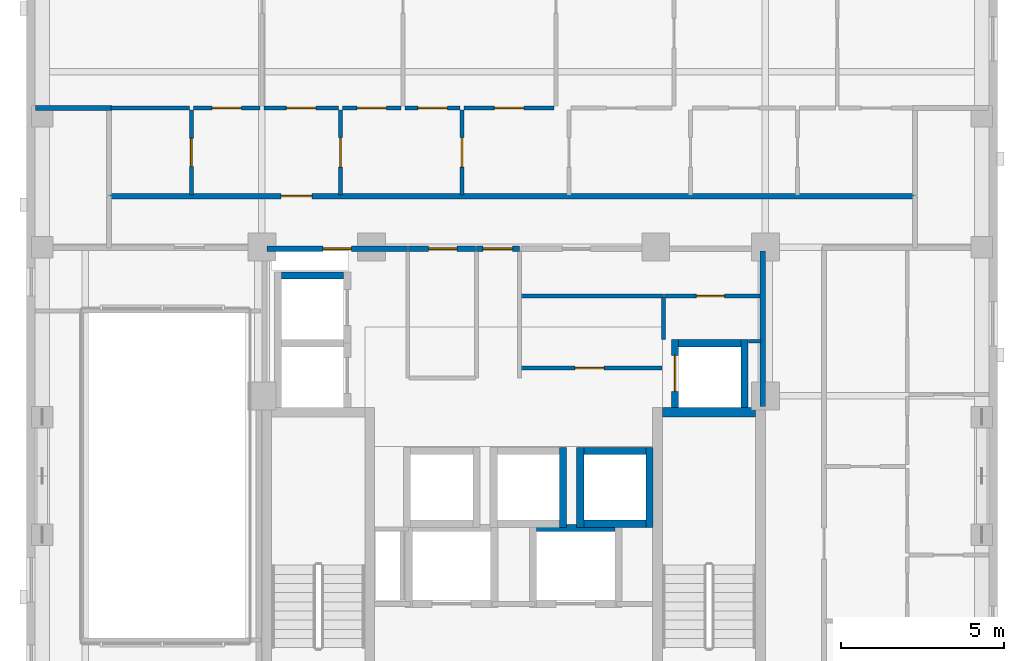
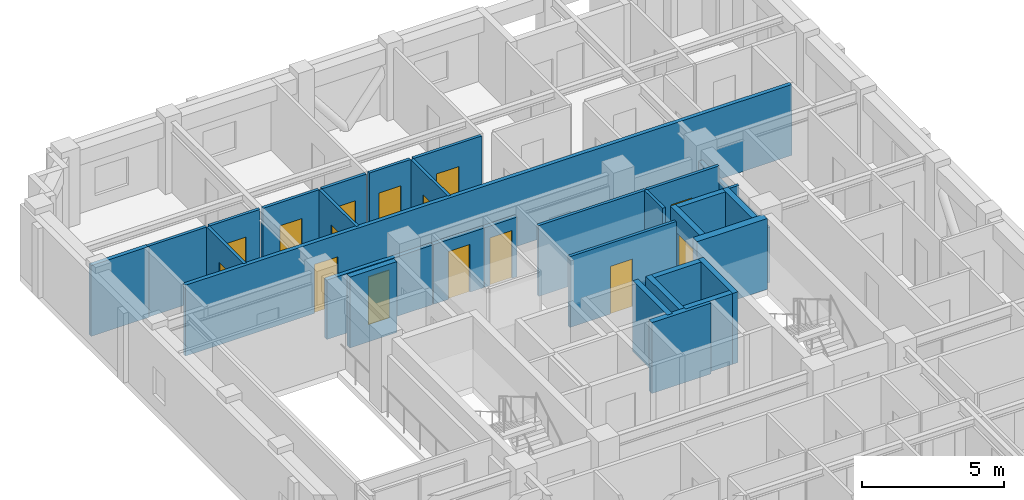
# One storey, part 7 of 13: 31 walls, 15 doors, 15 openings.
"""IFC4 building model written with IfcOpenShell, lengths in metres."""

from ifc_helpers import new_model, si_unit, derived_unit, direction, frame, frame_2d, origin, place, context, subcontext, project, spatial, rectangle, extrude, material, layer, layer_set, type_object, element, fill, save


model = new_model("IFC4")

# Units and contexts
model_context = context("Model", 3, precision=1e-05, world=origin(), true_north=direction((0.0, 1.0)))
body_context = subcontext(model_context, "Body", "Model", "MODEL_VIEW")
ifc_project = project(units=[si_unit("LENGTHUNIT", "METRE"), si_unit("AREAUNIT", "SQUARE_METRE"), si_unit("VOLUMEUNIT", "CUBIC_METRE"), si_unit("PLANEANGLEUNIT", "RADIAN"), si_unit("MASSUNIT", "GRAM", prefix="KILO"), derived_unit("THERMALTRANSMITTANCEUNIT", [(si_unit("MASSUNIT", "GRAM", prefix="KILO"), 1), (si_unit("TIMEUNIT", "SECOND"), -3), (si_unit("THERMODYNAMICTEMPERATUREUNIT", "KELVIN"), -1)])], contexts=[model_context])

# Site, building, storey
site_placement = place(None, origin())
site = spatial("IfcSite", under=ifc_project, at=site_placement, CompositionType="ELEMENT")
building_placement = place(site_placement, origin())
building = spatial("IfcBuilding", under=site, at=building_placement, Name="Korrvale Station Residences", CompositionType="ELEMENT")
storey_placement = place(building_placement, frame((0.0, 0.0, 177.699951171875)))
storey = spatial("IfcBuildingStorey", under=building, at=storey_placement, Name="L51", CompositionType="ELEMENT", Elevation=177.699951171875)

# Walls
ifc_material_1 = material(Name="Concrete C50/60", Category="concrete")
ifc_layer_1 = layer(ifc_material_1, 0.300048828125, Name="Concrete C50/60")
ifc_layer_set_1 = layer_set([ifc_layer_1], Name="Concrete C50/60")
wall_type_1 = type_object("IfcWallType", Name="WAL-CORE-300-C50", PredefinedType="SHEAR", material=ifc_layer_set_1)
wall_1_placement = place(storey_placement, frame((30.050048828125, 23.949951171875, 0.0), z_axis=(0.0, 0.0, 1.0), x_axis=(1.0, 0.0, 0.0)))
element("IfcWall", 1, at=wall_1_placement, inside=storey, type_object=wall_type_1, Name="L51 ST-2 Core Shear Wall North", PredefinedType="SHEAR", context=body_context, shape_type="SweptSolid", body=[
    extrude(rectangle(XDim=2.849853515625, YDim=0.300048828125, at=frame_2d((1.4248046875, 0.0))), origin(), (0.0, 0.0, 1.0), 3.0400390625),
])
ifc_material_2 = material(Name="Acoustic steel-stud gypsum board partition", Category="steel")
ifc_layer_2 = layer(ifc_material_2, 0.1201171875, Name="Acoustic steel-stud gypsum board partition")
ifc_layer_set_2 = layer_set([ifc_layer_2], Name="Acoustic steel-stud gypsum board partition")
wall_type_2 = type_object("IfcWallType", Name="WAL-PART-125", PredefinedType="PARTITIONING", material=ifc_layer_set_2)
wall_2_placement = place(storey_placement, frame((30.080078125, 26.179931640625, 0.0), z_axis=(0.0, 0.0, 1.0), x_axis=(0.0, 1.0, 0.0)))
element("IfcWall", 2, at=wall_2_placement, inside=storey, type_object=wall_type_2, Name="L51 Core Partition CW-CS-W", PredefinedType="PARTITIONING", context=body_context, shape_type="SweptSolid", body=[
    extrude(rectangle(XDim=1.280029296875, YDim=0.1201171875, at=frame_2d((0.64013671875, 0.0))), origin(), (0.0, 0.0, 1.0), 3.0400390625),
])
wall_3_placement = place(storey_placement, frame((32.679931640625, 26.1201171875, 0.0), z_axis=(0.0, 0.0, 1.0), x_axis=(1.0, 0.0, 0.0)))
element("IfcWall", 3, at=wall_3_placement, inside=storey, type_object=wall_type_2, Name="L51 Core Partition CW-CS-S", PredefinedType="PARTITIONING", context=body_context, shape_type="SweptSolid", body=[
    extrude(rectangle(XDim=0.380126953125, YDim=0.1201171875, at=frame_2d((0.18994140625, 0.0))), origin(), (0.0, 0.0, 1.0), 3.0400390625),
])

# Wall, opening, door
wall_4_placement = place(storey_placement, frame((30.1201171875, 27.5, 0.0), z_axis=(0.0, 0.0, 1.0), x_axis=(1.0, 0.0, 0.0)))
wall_4 = element("IfcWall", 4, at=wall_4_placement, inside=storey, type_object=wall_type_2, Name="L51 Core Partition CW-CS-H", PredefinedType="PARTITIONING", context=body_context, shape_type="SweptSolid", body=[
    extrude(rectangle(XDim=2.919921875, YDim=0.1201171875, at=frame_2d((1.4599609375, 0.0))), origin(), (0.0, 0.0, 1.0), 3.0400390625),
])
opening_1_placement = place(wall_4_placement, frame((0.969970703125, 0.0, 0.0)))
opening_1 = element("IfcOpeningElement", 5, at=opening_1_placement, cuts=wall_4, Name="Opening DB-860", PredefinedType="OPENING", context=body_context, shape_type="SweptSolid", body=[
    extrude(rectangle(XDim=0.860107421875, YDim=2.050048828125, at=frame_2d((0.43017578125, 1.02490234375))), frame((0.0, 0.070068359375, 0.0), z_axis=(0.0, -1.0, 0.0), x_axis=(1.0, 0.0, 0.0)), (0.0, 0.0, 1.0), 0.14013671875),
])
ifc_material_3 = material(Name="Moisture-resistant solid-core bathroom door", Category="timber")
door_type_1 = type_object("IfcDoorType", Name="DR-BATH-860", OperationType="NOTDEFINED", PredefinedType="DOOR", material=ifc_material_3)
door_1_placement = place(opening_1_placement, origin())
door_1 = element("IfcDoor", 6, at=door_1_placement, inside=storey, type_object=door_type_1, Name="L51 Mail Sorting Inner Door", OperationType="SINGLE_SWING_LEFT", OverallHeight=2.050048828125, OverallWidth=0.860107421875, PredefinedType="DOOR", context=body_context, shape_type="SweptSolid", body=[
    extrude(rectangle(XDim=0.860107421875, YDim=2.050048828125, at=frame_2d((0.43017578125, 1.02490234375))), frame((0.0, 0.02490234375, 0.0), z_axis=(0.0, -1.0, 0.0), x_axis=(1.0, 0.0, 0.0)), (0.0, 0.0, 1.0), 0.050048828125),
])
fill(opening_1, door_1)

# Wall
wall_5_placement = place(storey_placement, frame((25.719970703125, 27.5, 0.0), z_axis=(0.0, 0.0, 1.0), x_axis=(1.0, 0.0, 0.0)))
element("IfcWall", 7, at=wall_5_placement, inside=storey, type_object=wall_type_2, Name="L51 Core Partition CW-FPLE-H", PredefinedType="PARTITIONING", context=body_context, shape_type="SweptSolid", body=[
    extrude(rectangle(XDim=4.360107421875, YDim=0.1201171875, at=frame_2d((2.18017578125, 0.0))), origin(), (0.0, 0.0, 1.0), 3.0400390625),
])

# Wall, opening, door
wall_6_placement = place(storey_placement, frame((25.719970703125, 25.300048828125, 0.0), z_axis=(0.0, 0.0, 1.0), x_axis=(1.0, 0.0, 0.0)))
wall_6 = element("IfcWall", 8, at=wall_6_placement, inside=storey, type_object=wall_type_2, Name="L51 Core Partition CW-FPLE-S", PredefinedType="PARTITIONING", context=body_context, shape_type="SweptSolid", body=[
    extrude(rectangle(XDim=4.320068359375, YDim=0.1201171875, at=frame_2d((2.16015625, 0.0))), origin(), (0.0, 0.0, 1.0), 3.0400390625),
])
opening_2_placement = place(wall_6_placement, frame((1.64990234375, 0.0, 0.0)))
opening_2 = element("IfcOpeningElement", 9, at=opening_2_placement, cuts=wall_6, Name="Opening DI-900", PredefinedType="OPENING", context=body_context, shape_type="SweptSolid", body=[
    extrude(rectangle(XDim=0.89990234375, YDim=2.050048828125, at=frame_2d((0.449951171875, 1.02490234375))), frame((0.0, 0.070068359375, 0.0), z_axis=(0.0, -1.0, 0.0), x_axis=(1.0, 0.0, 0.0)), (0.0, 0.0, 1.0), 0.14013671875),
])
ifc_material_4 = material(Name="Painted solid-core timber interior room door", Category="wood")
door_type_2 = type_object("IfcDoorType", Name="DR-INT-900", OperationType="NOTDEFINED", PredefinedType="DOOR", material=ifc_material_4)
door_2_placement = place(opening_2_placement, origin())
door_2 = element("IfcDoor", 10, at=door_2_placement, inside=storey, type_object=door_type_2, Name="L51 Housekeeping Linen Door", OperationType="SINGLE_SWING_LEFT", OverallHeight=2.050048828125, OverallWidth=0.89990234375, PredefinedType="DOOR", context=body_context, shape_type="SweptSolid", body=[
    extrude(rectangle(XDim=0.89990234375, YDim=2.050048828125, at=frame_2d((0.449951171875, 1.02490234375))), frame((0.0, 0.02490234375, 0.0), z_axis=(0.0, -1.0, 0.0), x_axis=(1.0, 0.0, 0.0)), (0.0, 0.0, 1.0), 0.050048828125),
])
fill(opening_2, door_2)

wall_7_placement = place(storey_placement, frame((15.639892578125, 30.60009765625, 0.0), z_axis=(0.0, 0.0, 1.0), x_axis=(0.0, 1.0, 0.0)))
wall_7 = element("IfcWall", 11, at=wall_7_placement, inside=storey, type_object=wall_type_2, Name="L51 Suite Partition U02-V01", PredefinedType="PARTITIONING", context=body_context, shape_type="SweptSolid", body=[
    extrude(rectangle(XDim=2.599853515625, YDim=0.1201171875, at=frame_2d((1.2998046875, 0.0))), origin(), (0.0, 0.0, 1.0), 3.0400390625),
])
opening_3_placement = place(wall_7_placement, frame((0.8701171875, 0.0, 0.0)))
opening_3 = element("IfcOpeningElement", 12, at=opening_3_placement, cuts=wall_7, Name="Opening DB-860", PredefinedType="OPENING", context=body_context, shape_type="SweptSolid", body=[
    extrude(rectangle(XDim=0.860107421875, YDim=2.050048828125, at=frame_2d((0.43017578125, 1.02490234375))), frame((0.0, 0.070068359375, 0.0), z_axis=(0.0, -1.0, 0.0), x_axis=(1.0, 0.0, 0.0)), (0.0, 0.0, 1.0), 0.14013671875),
])
door_3_placement = place(opening_3_placement, origin())
door_3 = element("IfcDoor", 13, at=door_3_placement, inside=storey, type_object=door_type_1, Name="L51 Apartment 3BR L51-U02 Bathroom Door", OperationType="SINGLE_SWING_LEFT", OverallHeight=2.050048828125, OverallWidth=0.860107421875, PredefinedType="DOOR", context=body_context, shape_type="SweptSolid", body=[
    extrude(rectangle(XDim=0.860107421875, YDim=2.050048828125, at=frame_2d((0.43017578125, 1.02490234375))), frame((0.0, 0.02490234375, 0.0), z_axis=(0.0, -1.0, 0.0), x_axis=(1.0, 0.0, 0.0)), (0.0, 0.0, 1.0), 0.050048828125),
])
fill(opening_3, door_3)

# Wall
wall_8_placement = place(storey_placement, frame((13.179931640625, 33.260009765625, 0.0), z_axis=(0.0, 0.0, 1.0), x_axis=(1.0, 0.0, 0.0)))
element("IfcWall", 14, at=wall_8_placement, inside=storey, type_object=wall_type_2, Name="L51 Suite Partition U02-H07", PredefinedType="PARTITIONING", context=body_context, shape_type="SweptSolid", body=[
    extrude(rectangle(XDim=2.400146484375, YDim=0.1201171875, at=frame_2d((1.2001953125, 0.0))), origin(), (0.0, 0.0, 1.0), 3.0400390625),
])

# Wall, opening, door
wall_9_placement = place(storey_placement, frame((20.199951171875, 30.60009765625, 0.0), z_axis=(0.0, 0.0, 1.0), x_axis=(0.0, 1.0, 0.0)))
wall_9 = element("IfcWall", 15, at=wall_9_placement, inside=storey, type_object=wall_type_2, Name="L51 Suite Partition U02-V12", PredefinedType="PARTITIONING", context=body_context, shape_type="SweptSolid", body=[
    extrude(rectangle(XDim=2.599853515625, YDim=0.1201171875, at=frame_2d((1.2998046875, 0.0))), origin(), (0.0, 0.0, 1.0), 3.0400390625),
])
opening_4_placement = place(wall_9_placement, frame((0.85009765625, 0.0, 0.0)))
opening_4 = element("IfcOpeningElement", 16, at=opening_4_placement, cuts=wall_9, Name="Opening DI-900", PredefinedType="OPENING", context=body_context, shape_type="SweptSolid", body=[
    extrude(rectangle(XDim=0.89990234375, YDim=2.050048828125, at=frame_2d((0.449951171875, 1.02490234375))), frame((0.0, 0.070068359375, 0.0), z_axis=(0.0, -1.0, 0.0), x_axis=(1.0, 0.0, 0.0)), (0.0, 0.0, 1.0), 0.14013671875),
])
door_4_placement = place(opening_4_placement, origin())
door_4 = element("IfcDoor", 17, at=door_4_placement, inside=storey, type_object=door_type_2, Name="L51 Apartment 3BR L51-U02 Kitchen Door", OperationType="SINGLE_SWING_RIGHT", OverallHeight=2.050048828125, OverallWidth=0.89990234375, PredefinedType="DOOR", context=body_context, shape_type="SweptSolid", body=[
    extrude(rectangle(XDim=0.89990234375, YDim=2.050048828125, at=frame_2d((0.449951171875, 1.02490234375))), frame((0.0, 0.02490234375, 0.0), z_axis=(0.0, -1.0, 0.0), x_axis=(1.0, 0.0, 0.0)), (0.0, 0.0, 1.0), 0.050048828125),
])
fill(opening_4, door_4)

wall_10_placement = place(storey_placement, frame((15.699951171875, 33.260009765625, 0.0), z_axis=(0.0, 0.0, 1.0), x_axis=(1.0, 0.0, 0.0)))
wall_10 = element("IfcWall", 18, at=wall_10_placement, inside=storey, type_object=wall_type_2, Name="L51 Suite Partition U02-H17", PredefinedType="PARTITIONING", context=body_context, shape_type="SweptSolid", body=[
    extrude(rectangle(XDim=2.0400390625, YDim=0.1201171875, at=frame_2d((1.02001953125, 0.0))), origin(), (0.0, 0.0, 1.0), 3.0400390625),
])
opening_5_placement = place(wall_10_placement, frame((0.570068359375, 0.0, 0.0)))
opening_5 = element("IfcOpeningElement", 19, at=opening_5_placement, cuts=wall_10, Name="Opening DI-900", PredefinedType="OPENING", context=body_context, shape_type="SweptSolid", body=[
    extrude(rectangle(XDim=0.89990234375, YDim=2.050048828125, at=frame_2d((0.449951171875, 1.02490234375))), frame((0.0, 0.070068359375, 0.0), z_axis=(0.0, -1.0, 0.0), x_axis=(1.0, 0.0, 0.0)), (0.0, 0.0, 1.0), 0.14013671875),
])
door_5_placement = place(opening_5_placement, origin())
door_5 = element("IfcDoor", 20, at=door_5_placement, inside=storey, type_object=door_type_2, Name="L51 Apartment 3BR L51-U02 Kitchen Door", OperationType="SINGLE_SWING_LEFT", OverallHeight=2.050048828125, OverallWidth=0.89990234375, PredefinedType="DOOR", context=body_context, shape_type="SweptSolid", body=[
    extrude(rectangle(XDim=0.89990234375, YDim=2.050048828125, at=frame_2d((0.449951171875, 1.02490234375))), frame((0.0, 0.02490234375, 0.0), z_axis=(0.0, -1.0, 0.0), x_axis=(1.0, 0.0, 0.0)), (0.0, 0.0, 1.0), 0.050048828125),
])
fill(opening_5, door_5)

wall_11_placement = place(storey_placement, frame((17.860107421875, 33.260009765625, 0.0), z_axis=(0.0, 0.0, 1.0), x_axis=(1.0, 0.0, 0.0)))
wall_11 = element("IfcWall", 21, at=wall_11_placement, inside=storey, type_object=wall_type_2, Name="L51 Suite Partition U02-H18", PredefinedType="PARTITIONING", context=body_context, shape_type="SweptSolid", body=[
    extrude(rectangle(XDim=2.27978515625, YDim=0.1201171875, at=frame_2d((1.139892578125, 0.0))), origin(), (0.0, 0.0, 1.0), 3.0400390625),
])
opening_6_placement = place(wall_11_placement, frame((0.68994140625, 0.0, 0.0)))
opening_6 = element("IfcOpeningElement", 22, at=opening_6_placement, cuts=wall_11, Name="Opening DI-900", PredefinedType="OPENING", context=body_context, shape_type="SweptSolid", body=[
    extrude(rectangle(XDim=0.89990234375, YDim=2.050048828125, at=frame_2d((0.449951171875, 1.02490234375))), frame((0.0, 0.070068359375, 0.0), z_axis=(0.0, -1.0, 0.0), x_axis=(1.0, 0.0, 0.0)), (0.0, 0.0, 1.0), 0.14013671875),
])
door_6_placement = place(opening_6_placement, origin())
door_6 = element("IfcDoor", 23, at=door_6_placement, inside=storey, type_object=door_type_2, Name="L51 Apartment 3BR L51-U02 Kitchen Door", OperationType="SINGLE_SWING_RIGHT", OverallHeight=2.050048828125, OverallWidth=0.89990234375, PredefinedType="DOOR", context=body_context, shape_type="SweptSolid", body=[
    extrude(rectangle(XDim=0.89990234375, YDim=2.050048828125, at=frame_2d((0.449951171875, 1.02490234375))), frame((0.0, 0.02490234375, 0.0), z_axis=(0.0, -1.0, 0.0), x_axis=(1.0, 0.0, 0.0)), (0.0, 0.0, 1.0), 0.050048828125),
])
fill(opening_6, door_6)

wall_12_placement = place(storey_placement, frame((23.919921875, 30.60009765625, 0.0), z_axis=(0.0, 0.0, 1.0), x_axis=(0.0, 1.0, 0.0)))
wall_12 = element("IfcWall", 24, at=wall_12_placement, inside=storey, type_object=wall_type_2, Name="L51 Suite Partition U02-V23", PredefinedType="PARTITIONING", context=body_context, shape_type="SweptSolid", body=[
    extrude(rectangle(XDim=2.599853515625, YDim=0.1201171875, at=frame_2d((1.2998046875, 0.0))), origin(), (0.0, 0.0, 1.0), 3.0400390625),
])
opening_7_placement = place(wall_12_placement, frame((0.85009765625, 0.0, 0.0)))
opening_7 = element("IfcOpeningElement", 25, at=opening_7_placement, cuts=wall_12, Name="Opening DI-900", PredefinedType="OPENING", context=body_context, shape_type="SweptSolid", body=[
    extrude(rectangle(XDim=0.89990234375, YDim=2.050048828125, at=frame_2d((0.449951171875, 1.02490234375))), frame((0.0, 0.070068359375, 0.0), z_axis=(0.0, -1.0, 0.0), x_axis=(1.0, 0.0, 0.0)), (0.0, 0.0, 1.0), 0.14013671875),
])
door_7_placement = place(opening_7_placement, origin())
door_7 = element("IfcDoor", 26, at=door_7_placement, inside=storey, type_object=door_type_2, Name="L51 Apartment 3BR L51-U02 Utility and Laundry Room Door", OperationType="SINGLE_SWING_LEFT", OverallHeight=2.050048828125, OverallWidth=0.89990234375, PredefinedType="DOOR", context=body_context, shape_type="SweptSolid", body=[
    extrude(rectangle(XDim=0.89990234375, YDim=2.050048828125, at=frame_2d((0.449951171875, 1.02490234375))), frame((0.0, 0.02490234375, 0.0), z_axis=(0.0, -1.0, 0.0), x_axis=(1.0, 0.0, 0.0)), (0.0, 0.0, 1.0), 0.050048828125),
])
fill(opening_7, door_7)

wall_13_placement = place(storey_placement, frame((20.260009765625, 33.260009765625, 0.0), z_axis=(0.0, 0.0, 1.0), x_axis=(1.0, 0.0, 0.0)))
wall_13 = element("IfcWall", 27, at=wall_13_placement, inside=storey, type_object=wall_type_2, Name="L51 Suite Partition U02-H28", PredefinedType="PARTITIONING", context=body_context, shape_type="SweptSolid", body=[
    extrude(rectangle(XDim=1.800048828125, YDim=0.1201171875, at=frame_2d((0.89990234375, 0.0))), origin(), (0.0, 0.0, 1.0), 3.0400390625),
])
opening_8_placement = place(wall_13_placement, frame((0.449951171875, 0.0, 0.0)))
opening_8 = element("IfcOpeningElement", 28, at=opening_8_placement, cuts=wall_13, Name="Opening DI-900", PredefinedType="OPENING", context=body_context, shape_type="SweptSolid", body=[
    extrude(rectangle(XDim=0.89990234375, YDim=2.050048828125, at=frame_2d((0.449951171875, 1.02490234375))), frame((0.0, 0.070068359375, 0.0), z_axis=(0.0, -1.0, 0.0), x_axis=(1.0, 0.0, 0.0)), (0.0, 0.0, 1.0), 0.14013671875),
])
door_8_placement = place(opening_8_placement, origin())
door_8 = element("IfcDoor", 29, at=door_8_placement, inside=storey, type_object=door_type_2, Name="L51 Apartment 3BR L51-U02 Utility and Laundry Room Door", OperationType="SINGLE_SWING_RIGHT", OverallHeight=2.050048828125, OverallWidth=0.89990234375, PredefinedType="DOOR", context=body_context, shape_type="SweptSolid", body=[
    extrude(rectangle(XDim=0.89990234375, YDim=2.050048828125, at=frame_2d((0.449951171875, 1.02490234375))), frame((0.0, 0.02490234375, 0.0), z_axis=(0.0, -1.0, 0.0), x_axis=(1.0, 0.0, 0.0)), (0.0, 0.0, 1.0), 0.050048828125),
])
fill(opening_8, door_8)

wall_14_placement = place(storey_placement, frame((22.179931640625, 33.260009765625, 0.0), z_axis=(0.0, 0.0, 1.0), x_axis=(1.0, 0.0, 0.0)))
wall_14 = element("IfcWall", 30, at=wall_14_placement, inside=storey, type_object=wall_type_2, Name="L51 Suite Partition U02-H29", PredefinedType="PARTITIONING", context=body_context, shape_type="SweptSolid", body=[
    extrude(rectangle(XDim=1.68017578125, YDim=0.1201171875, at=frame_2d((0.840087890625, 0.0))), origin(), (0.0, 0.0, 1.0), 3.0400390625),
])
opening_9_placement = place(wall_14_placement, frame((0.389892578125, 0.0, 0.0)))
opening_9 = element("IfcOpeningElement", 31, at=opening_9_placement, cuts=wall_14, Name="Opening DI-900", PredefinedType="OPENING", context=body_context, shape_type="SweptSolid", body=[
    extrude(rectangle(XDim=0.89990234375, YDim=2.050048828125, at=frame_2d((0.449951171875, 1.02490234375))), frame((0.0, 0.070068359375, 0.0), z_axis=(0.0, -1.0, 0.0), x_axis=(1.0, 0.0, 0.0)), (0.0, 0.0, 1.0), 0.14013671875),
])
door_9_placement = place(opening_9_placement, origin())
door_9 = element("IfcDoor", 32, at=door_9_placement, inside=storey, type_object=door_type_2, Name="L51 Apartment 3BR L51-U02 Utility and Laundry Room Door", OperationType="SINGLE_SWING_LEFT", OverallHeight=2.050048828125, OverallWidth=0.89990234375, PredefinedType="DOOR", context=body_context, shape_type="SweptSolid", body=[
    extrude(rectangle(XDim=0.89990234375, YDim=2.050048828125, at=frame_2d((0.449951171875, 1.02490234375))), frame((0.0, 0.02490234375, 0.0), z_axis=(0.0, -1.0, 0.0), x_axis=(1.0, 0.0, 0.0)), (0.0, 0.0, 1.0), 0.050048828125),
])
fill(opening_9, door_9)

wall_15_placement = place(storey_placement, frame((23.97998046875, 33.260009765625, 0.0), z_axis=(0.0, 0.0, 1.0), x_axis=(1.0, 0.0, 0.0)))
wall_15 = element("IfcWall", 33, at=wall_15_placement, inside=storey, type_object=wall_type_2, Name="L51 Suite Partition U02-H39", PredefinedType="PARTITIONING", context=body_context, shape_type="SweptSolid", body=[
    extrude(rectangle(XDim=2.760009765625, YDim=0.1201171875, at=frame_2d((1.3798828125, 0.0))), origin(), (0.0, 0.0, 1.0), 3.0400390625),
])
opening_10_placement = place(wall_15_placement, frame((0.929931640625, 0.0, 0.0)))
opening_10 = element("IfcOpeningElement", 34, at=opening_10_placement, cuts=wall_15, Name="Opening DI-900", PredefinedType="OPENING", context=body_context, shape_type="SweptSolid", body=[
    extrude(rectangle(XDim=0.89990234375, YDim=2.050048828125, at=frame_2d((0.449951171875, 1.02490234375))), frame((0.0, 0.070068359375, 0.0), z_axis=(0.0, -1.0, 0.0), x_axis=(1.0, 0.0, 0.0)), (0.0, 0.0, 1.0), 0.14013671875),
])
door_10_placement = place(opening_10_placement, origin())
door_10 = element("IfcDoor", 35, at=door_10_placement, inside=storey, type_object=door_type_2, Name="L51 Apartment 3BR L51-U02 Storage Closet 2 Door", OperationType="SINGLE_SWING_LEFT", OverallHeight=2.050048828125, OverallWidth=0.89990234375, PredefinedType="DOOR", context=body_context, shape_type="SweptSolid", body=[
    extrude(rectangle(XDim=0.89990234375, YDim=2.050048828125, at=frame_2d((0.449951171875, 1.02490234375))), frame((0.0, 0.02490234375, 0.0), z_axis=(0.0, -1.0, 0.0), x_axis=(1.0, 0.0, 0.0)), (0.0, 0.0, 1.0), 0.050048828125),
])
fill(opening_10, door_10)

# Wall
ifc_material_5 = material(Name="Fire-rated twin-stud gypsum and mineral wool shaftwall assembly", Category="gypsum")
ifc_layer_3 = layer(ifc_material_5, 0.159912109375, Name="Fire-rated twin-stud gypsum and mineral wool shaftwall assembly")
ifc_layer_set_3 = layer_set([ifc_layer_3], Name="Fire-rated twin-stud gypsum and mineral wool shaftwall assembly")
wall_type_3 = type_object("IfcWallType", Name="WAL-PART-200", PredefinedType="PARTITIONING", material=ifc_layer_set_3)
wall_16_placement = place(storey_placement, frame((33.1201171875, 24.1201171875, 0.0), z_axis=(0.0, 0.0, 1.0), x_axis=(0.0, 1.0, 0.0)))
element("IfcWall", 36, at=wall_16_placement, inside=storey, type_object=wall_type_3, Name="L51 Core Partition CW-E-N", PredefinedType="PARTITIONING", context=body_context, shape_type="SweptSolid", body=[
    extrude(rectangle(XDim=4.759765625, YDim=0.159912109375, at=frame_2d((2.3798828125, 0.0))), origin(), (0.0, 0.0, 1.0), 2.375),
])

# Wall, opening, door
wall_17_placement = place(storey_placement, frame((24.360107421875, 28.949951171875, 0.0), z_axis=(0.0, 0.0, 1.0), x_axis=(1.0, 0.0, 0.0)))
wall_17 = element("IfcWall", 37, at=wall_17_placement, inside=storey, type_object=wall_type_3, Name="L51 Core Partition CW-LLOB-N", PredefinedType="PARTITIONING", context=body_context, shape_type="SweptSolid", body=[
    extrude(rectangle(XDim=1.31982421875, YDim=0.159912109375, at=frame_2d((0.659912109375, 0.0))), origin(), (0.0, 0.0, 1.0), 2.55615234375),
])
opening_11_placement = place(wall_17_placement, frame((0.2099609375, 0.0, 0.0)))
opening_11 = element("IfcOpeningElement", 38, at=opening_11_placement, cuts=wall_17, Name="Opening DI-900", PredefinedType="OPENING", context=body_context, shape_type="SweptSolid", body=[
    extrude(rectangle(XDim=0.89990234375, YDim=2.050048828125, at=frame_2d((0.449951171875, 1.02490234375))), frame((0.0, 0.08984375, 0.0), z_axis=(0.0, -1.0, 0.0), x_axis=(1.0, 0.0, 0.0)), (0.0, 0.0, 1.0), 0.179931640625),
])
door_11_placement = place(opening_11_placement, origin())
door_11 = element("IfcDoor", 39, at=door_11_placement, inside=storey, type_object=door_type_2, Name="L51 Central Hallway North Passage Door", OperationType="SINGLE_SWING_LEFT", OverallHeight=2.050048828125, OverallWidth=0.89990234375, PredefinedType="DOOR", context=body_context, shape_type="SweptSolid", body=[
    extrude(rectangle(XDim=0.89990234375, YDim=2.050048828125, at=frame_2d((0.449951171875, 1.02490234375))), frame((0.0, 0.02490234375, 0.0), z_axis=(0.0, -1.0, 0.0), x_axis=(1.0, 0.0, 0.0)), (0.0, 0.0, 1.0), 0.050048828125),
])
fill(opening_11, door_11)

wall_18_placement = place(storey_placement, frame((17.9599609375, 28.949951171875, 0.0), z_axis=(0.0, 0.0, 1.0), x_axis=(1.0, 0.0, 0.0)))
wall_18 = element("IfcWall", 40, at=wall_18_placement, inside=storey, type_object=wall_type_3, Name="L51 Core Partition CW-NW", PredefinedType="PARTITIONING", context=body_context, shape_type="SweptSolid", body=[
    extrude(rectangle(XDim=4.2900390625, YDim=0.159912109375, at=frame_2d((2.14501953125, 0.0))), origin(), (0.0, 0.0, 1.0), 2.55615234375),
])
opening_12_placement = place(wall_18_placement, frame((1.715087890625, 0.0, 0.0)))
opening_12 = element("IfcOpeningElement", 41, at=opening_12_placement, cuts=wall_18, Name="Opening DB-860", PredefinedType="OPENING", context=body_context, shape_type="SweptSolid", body=[
    extrude(rectangle(XDim=0.860107421875, YDim=2.050048828125, at=frame_2d((0.43017578125, 1.02490234375))), frame((0.0, 0.08984375, 0.0), z_axis=(0.0, -1.0, 0.0), x_axis=(1.0, 0.0, 0.0)), (0.0, 0.0, 1.0), 0.179931640625),
])
door_12_placement = place(opening_12_placement, origin())
door_12 = element("IfcDoor", 42, at=door_12_placement, inside=storey, type_object=door_type_1, Name="L51 Electrical Riser Access Door", OperationType="SINGLE_SWING_RIGHT", OverallHeight=2.050048828125, OverallWidth=0.860107421875, PredefinedType="DOOR", context=body_context, shape_type="SweptSolid", body=[
    extrude(rectangle(XDim=0.860107421875, YDim=2.050048828125, at=frame_2d((0.43017578125, 1.02490234375))), frame((0.0, 0.02490234375, 0.0), z_axis=(0.0, -1.0, 0.0), x_axis=(1.0, 0.0, 0.0)), (0.0, 0.0, 1.0), 0.050048828125),
])
fill(opening_12, door_12)

wall_19_placement = place(storey_placement, frame((22.280029296875, 28.949951171875, 0.0), z_axis=(0.0, 0.0, 1.0), x_axis=(1.0, 0.0, 0.0)))
wall_19 = element("IfcWall", 43, at=wall_19_placement, inside=storey, type_object=wall_type_3, Name="L51 Core Partition CW-FPLW-N", PredefinedType="PARTITIONING", context=body_context, shape_type="SweptSolid", body=[
    extrude(rectangle(XDim=2.06005859375, YDim=0.159912109375, at=frame_2d((1.030029296875, 0.0))), origin(), (0.0, 0.0, 1.0), 2.55615234375),
])
opening_13_placement = place(wall_19_placement, frame((0.6201171875, 0.0, 0.0)))
opening_13 = element("IfcOpeningElement", 44, at=opening_13_placement, cuts=wall_19, Name="Opening DB-860", PredefinedType="OPENING", context=body_context, shape_type="SweptSolid", body=[
    extrude(rectangle(XDim=0.860107421875, YDim=2.050048828125, at=frame_2d((0.43017578125, 1.02490234375))), frame((0.0, 0.08984375, 0.0), z_axis=(0.0, -1.0, 0.0), x_axis=(1.0, 0.0, 0.0)), (0.0, 0.0, 1.0), 0.179931640625),
])
door_13_placement = place(opening_13_placement, origin())
door_13 = element("IfcDoor", 45, at=door_13_placement, inside=storey, type_object=door_type_1, Name="L51 Resident Parcel Room Door", OperationType="SINGLE_SWING_RIGHT", OverallHeight=2.050048828125, OverallWidth=0.860107421875, PredefinedType="DOOR", context=body_context, shape_type="SweptSolid", body=[
    extrude(rectangle(XDim=0.860107421875, YDim=2.050048828125, at=frame_2d((0.43017578125, 1.02490234375))), frame((0.0, 0.02490234375, 0.0), z_axis=(0.0, -1.0, 0.0), x_axis=(1.0, 0.0, 0.0)), (0.0, 0.0, 1.0), 0.050048828125),
])
fill(opening_13, door_13)

# Wall
wall_20_placement = place(storey_placement, frame((10.8798828125, 33.260009765625, 0.0), z_axis=(0.0, 0.0, 1.0), x_axis=(1.0, 0.0, 0.0)))
element("IfcWall", 46, at=wall_20_placement, inside=storey, type_object=wall_type_3, Name="L51 Corner Step Wall U02-L", PredefinedType="PARTITIONING", context=body_context, shape_type="SweptSolid", body=[
    extrude(rectangle(XDim=2.340087890625, YDim=0.159912109375, at=frame_2d((1.169921875, 0.0))), origin(), (0.0, 0.0, 1.0), 3.0400390625),
])

# Wall, opening, door
wall_21_placement = place(storey_placement, frame((13.14990234375, 30.56005859375, 0.0), z_axis=(0.0, 0.0, 1.0), x_axis=(1.0, 0.0, 0.0)))
wall_21 = element("IfcWall", 47, at=wall_21_placement, inside=storey, type_object=wall_type_3, Name="L51 Rated Corridor Wall N", PredefinedType="PARTITIONING", context=body_context, shape_type="SweptSolid", body=[
    extrude(rectangle(XDim=24.60009765625, YDim=0.159912109375, at=frame_2d((12.300048828125, 0.0))), origin(), (0.0, 0.0, 1.0), 3.0400390625),
])
opening_14_placement = place(wall_21_placement, frame((5.235107421875, 0.0, 0.0)))
opening_14 = element("IfcOpeningElement", 48, at=opening_14_placement, cuts=wall_21, Name="Opening UD-950", PredefinedType="OPENING", context=body_context, shape_type="SweptSolid", body=[
    extrude(rectangle(XDim=0.949951171875, YDim=2.10009765625, at=frame_2d((0.47509765625, 1.050048828125))), frame((0.0, 0.08984375, 0.0), z_axis=(0.0, -1.0, 0.0), x_axis=(1.0, 0.0, 0.0)), (0.0, 0.0, 1.0), 0.179931640625),
])
ifc_material_6 = material(Name="Solid-core acoustic oak apartment entrance door", Category="timber")
door_type_3 = type_object("IfcDoorType", Name="DR-UNIT-950", OperationType="NOTDEFINED", PredefinedType="DOOR", material=ifc_material_6)
door_14_placement = place(opening_14_placement, origin())
door_14 = element("IfcDoor", 49, at=door_14_placement, inside=storey, type_object=door_type_3, Name="L51 Apartment L51-U02 Entrance Door", OperationType="SINGLE_SWING_LEFT", OverallHeight=2.10009765625, OverallWidth=0.949951171875, PredefinedType="DOOR", context=body_context, shape_type="SweptSolid", body=[
    extrude(rectangle(XDim=0.949951171875, YDim=2.10009765625, at=frame_2d((0.47509765625, 1.050048828125))), frame((0.0, 0.02490234375, 0.0), z_axis=(0.0, -1.0, 0.0), x_axis=(1.0, 0.0, 0.0)), (0.0, 0.0, 1.0), 0.050048828125),
])
fill(opening_14, door_14)

# Walls
ifc_layer_4 = layer(ifc_material_1, 0.219970703125, Name="Concrete C50/60")
ifc_layer_set_4 = layer_set([ifc_layer_4], Name="Concrete C50/60")
wall_type_4 = type_object("IfcWallType", Name="WAL-SHAFT-220-C50", PredefinedType="SHEAR", material=ifc_layer_set_4)
wall_22_placement = place(storey_placement, frame((27.010009765625, 20.429931640625, 0.0), z_axis=(0.0, 0.0, 1.0), x_axis=(0.0, 1.0, 0.0)))
element("IfcWall", 50, at=wall_22_placement, inside=storey, type_object=wall_type_4, Name="L51 Elevator PM-2 Hoistway Wall East", PredefinedType="SHEAR", context=body_context, shape_type="SweptSolid", body=[
    extrude(rectangle(XDim=2.440185546875, YDim=0.219970703125, at=frame_2d((1.22021484375, 0.0))), origin(), (0.0, 0.0, 1.0), 3.0400390625),
])
for number, where, z_axis, x_axis, name in (
    (51, (27.64990234375, 20.5400390625, 0.0), (0.0, 0.0, 1.0), (1.0, 0.0, 0.0), "L51 Elevator PM-3 Hoistway Wall South"),
    (52, (27.64990234375, 22.760009765625, 0.0), (0.0, 0.0, 1.0), (1.0, 0.0, 0.0), "L51 Elevator PM-3 Hoistway Wall North"),
):
    element("IfcWall", number, at=place(storey_placement, frame(where, z_axis=z_axis, x_axis=x_axis)), inside=storey, type_object=wall_type_4, Name=name, PredefinedType="SHEAR", context=body_context, shape_type="SweptSolid", body=[
        extrude(rectangle(XDim=1.900146484375, YDim=0.219970703125, at=frame_2d((0.9501953125, 0.0))), origin(), (0.0, 0.0, 1.0), 3.0400390625),
    ])
for number, where, z_axis, x_axis, name in (
    (53, (27.5400390625, 20.429931640625, 0.0), (0.0, 0.0, 1.0), (0.0, 1.0, 0.0), "L51 Elevator PM-3 Hoistway Wall West"),
    (54, (29.659912109375, 20.429931640625, 0.0), (0.0, 0.0, 1.0), (0.0, 1.0, 0.0), "L51 Elevator PM-3 Hoistway Wall East"),
):
    element("IfcWall", number, at=place(storey_placement, frame(where, z_axis=z_axis, x_axis=x_axis)), inside=storey, type_object=wall_type_4, Name=name, PredefinedType="SHEAR", context=body_context, shape_type="SweptSolid", body=[
        extrude(rectangle(XDim=2.440185546875, YDim=0.219970703125, at=frame_2d((1.22021484375, 0.0))), origin(), (0.0, 0.0, 1.0), 3.0400390625),
    ])
wall_23_placement = place(storey_placement, frame((18.39990234375, 28.1298828125, 0.0), z_axis=(0.0, 0.0, 1.0), x_axis=(1.0, 0.0, 0.0)))
element("IfcWall", 55, at=wall_23_placement, inside=storey, type_object=wall_type_4, Name="L51 Elevator PH-2 Hoistway Wall North", PredefinedType="SHEAR", context=body_context, shape_type="SweptSolid", body=[
    extrude(rectangle(XDim=1.900146484375, YDim=0.219970703125, at=frame_2d((0.9501953125, 0.0))), origin(), (0.0, 0.0, 1.0), 3.0400390625),
])
wall_24_placement = place(storey_placement, frame((30.550048828125, 26.06005859375, 0.0), z_axis=(0.0, 0.0, 1.0), x_axis=(1.0, 0.0, 0.0)))
element("IfcWall", 56, at=wall_24_placement, inside=storey, type_object=wall_type_4, Name="L51 Elevator PH-3 Hoistway Wall North", PredefinedType="SHEAR", context=body_context, shape_type="SweptSolid", body=[
    extrude(rectangle(XDim=1.89990234375, YDim=0.219970703125, at=frame_2d((0.949951171875, 0.0))), origin(), (0.0, 0.0, 1.0), 3.0400390625),
])

# Wall, opening, door
wall_25_placement = place(storey_placement, frame((30.43994140625, 24.10009765625, 0.0), z_axis=(0.0, 0.0, 1.0), x_axis=(0.0, 1.0, 0.0)))
wall_25 = element("IfcWall", 57, at=wall_25_placement, inside=storey, type_object=wall_type_4, Name="L51 Elevator PH-3 Hoistway Wall West", PredefinedType="SHEAR", context=body_context, shape_type="SweptSolid", body=[
    extrude(rectangle(XDim=2.06982421875, YDim=0.219970703125, at=frame_2d((1.034912109375, 0.0))), origin(), (0.0, 0.0, 1.0), 3.0400390625),
])
opening_15_placement = place(wall_25_placement, frame((0.485107421875, 0.0, 0.0)))
opening_15 = element("IfcOpeningElement", 58, at=opening_15_placement, cuts=wall_25, Name="Opening LD-1100", PredefinedType="OPENING", context=body_context, shape_type="SweptSolid", body=[
    extrude(rectangle(XDim=1.10009765625, YDim=2.14990234375, at=frame_2d((0.550048828125, 1.074951171875))), frame((0.0, 0.1201171875, 0.0), z_axis=(0.0, -1.0, 0.0), x_axis=(1.0, 0.0, 0.0)), (0.0, 0.0, 1.0), 0.239990234375),
])
ifc_material_7 = material(Name="Brushed stainless-steel elevator landing sliding door", Category="steel")
door_type_4 = type_object("IfcDoorType", Name="DR-LIFT-1100", OperationType="SLIDING_TO_LEFT", PredefinedType="DOOR", material=ifc_material_7)
door_15_placement = place(opening_15_placement, origin())
door_15 = element("IfcDoor", 59, at=door_15_placement, inside=storey, type_object=door_type_4, Name="L51 Elevator PH-3 Sliding Landing Door", OperationType="SLIDING_TO_LEFT", OverallHeight=2.14990234375, OverallWidth=1.10009765625, PredefinedType="DOOR", context=body_context, shape_type="SweptSolid", body=[
    extrude(rectangle(XDim=1.10009765625, YDim=2.14990234375, at=frame_2d((0.550048828125, 1.074951171875))), frame((0.0, 0.02490234375, 0.0), z_axis=(0.0, -1.0, 0.0), x_axis=(1.0, 0.0, 0.0)), (0.0, 0.0, 1.0), 0.050048828125),
])
fill(opening_15, door_15)

# Walls
wall_26_placement = place(storey_placement, frame((32.56005859375, 24.10009765625, 0.0), z_axis=(0.0, 0.0, 1.0), x_axis=(0.0, 1.0, 0.0)))
element("IfcWall", 60, at=wall_26_placement, inside=storey, type_object=wall_type_4, Name="L51 Elevator PH-3 Hoistway Wall East", PredefinedType="SHEAR", context=body_context, shape_type="SweptSolid", body=[
    extrude(rectangle(XDim=2.06982421875, YDim=0.219970703125, at=frame_2d((1.034912109375, 0.0))), origin(), (0.0, 0.0, 1.0), 3.0400390625),
])
wall_27_placement = place(storey_placement, frame((26.199951171875, 20.409912109375, 0.0), z_axis=(0.0, 0.0, 1.0), x_axis=(1.0, 0.0, 0.0)))
element("IfcWall", 61, at=wall_27_placement, inside=storey, type_object=wall_type_4, Name="L51 Elevator FFL-2 Hoistway Wall North", PredefinedType="SHEAR", context=body_context, shape_type="SweptSolid", body=[
    extrude(rectangle(XDim=2.400146484375, YDim=0.219970703125, at=frame_2d((1.2001953125, 0.0))), origin(), (0.0, 0.0, 1.0), 3.0400390625),
])

save(model, "model.ifc")
